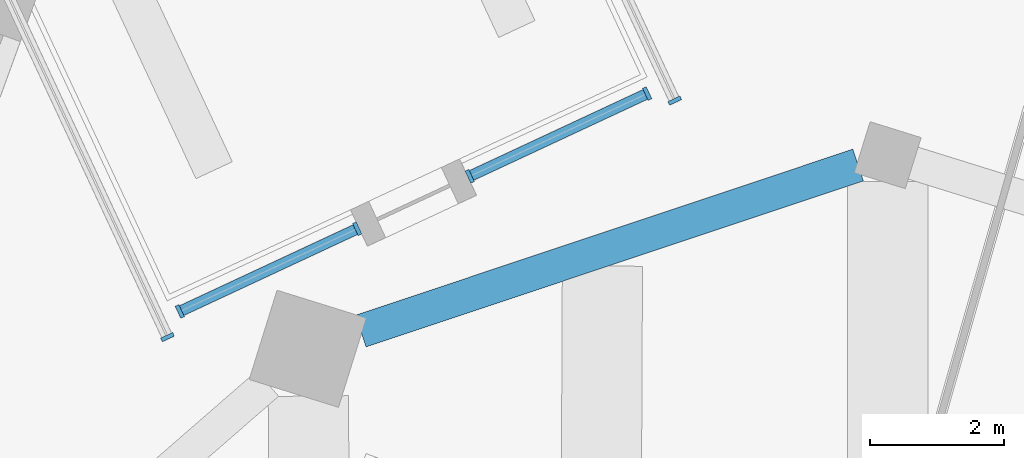
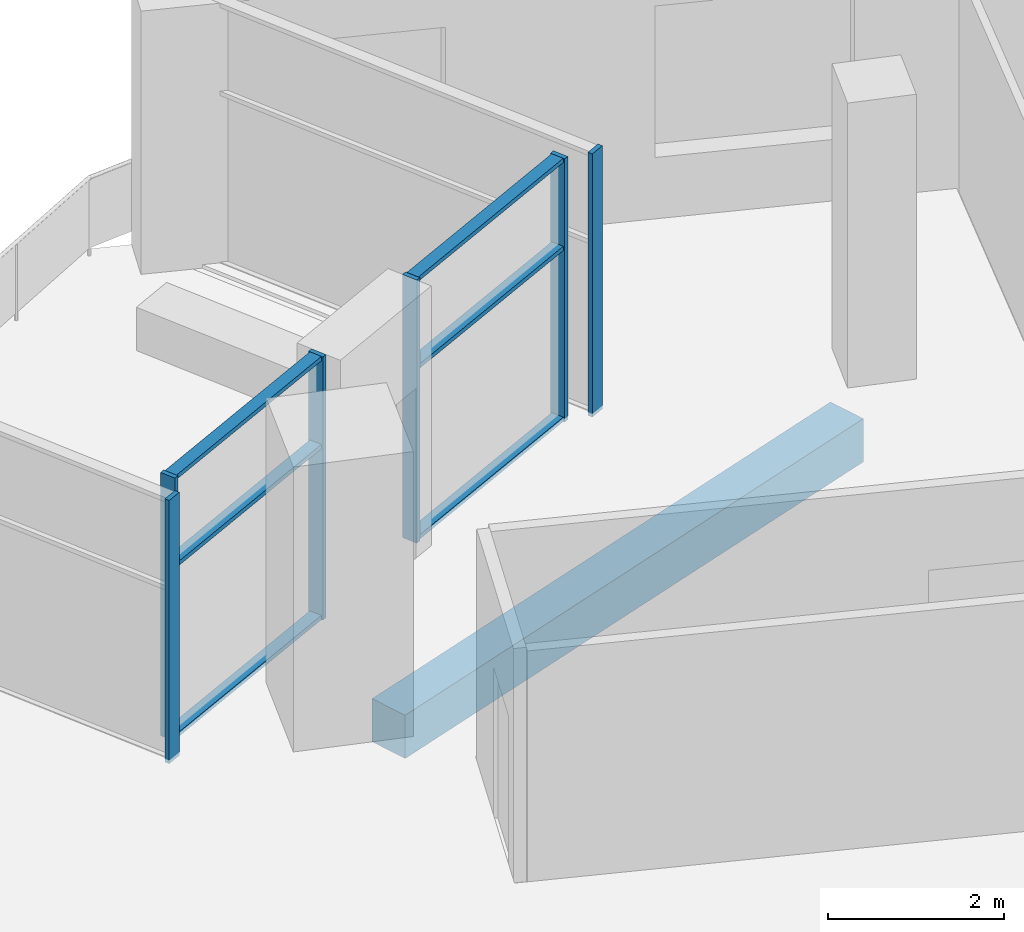
# One storey, part 2 of 13: 12 members, 1 beam, 4 elements without a shape of their own.
"""IFC4 building model written with IfcOpenShell, lengths in metres."""

from ifc_helpers import new_model, si_unit, direction, frame, origin, origin_2d, place, context, subcontext, project, spatial, rectangle, extrude, material, material_profile, profile_set, type_object, element, aggregate, save


model = new_model("IFC4")

# Units and contexts
model_context = context("Model", 3, precision=1e-05, world=origin(), true_north=direction((0.0, 1.0)))
body_context = subcontext(model_context, "Body", "Model", "MODEL_VIEW")
ifc_project = project(units=[si_unit("LENGTHUNIT", "METRE"), si_unit("AREAUNIT", "SQUARE_METRE"), si_unit("VOLUMEUNIT", "CUBIC_METRE"), si_unit("PLANEANGLEUNIT", "RADIAN"), si_unit("MASSUNIT", "GRAM", prefix="KILO")], contexts=[model_context])

# Site, building, storey
site_placement = place(None, origin())
site = spatial("IfcSite", under=ifc_project, at=site_placement, CompositionType="ELEMENT")
building_placement = place(site_placement, origin())
building = spatial("IfcBuilding", under=site, at=building_placement, Name="Dilmun Exchange Tower", CompositionType="ELEMENT")
storey_placement = place(building_placement, frame((0.0, 0.0, 308.5)))
storey = spatial("IfcBuildingStorey", under=building, at=storey_placement, Name="L73", CompositionType="ELEMENT", Elevation=308.5)

# Curtain wall, member
ifc_material_1 = material(Name="Anodised aluminium and clear glass", Category="aluminium")
curtain_wall_type = type_object("IfcCurtainWallType", Name="Garden corner glazing", PredefinedType="NOTDEFINED", material=ifc_material_1)
curtain_wall_1_placement = place(storey_placement, origin())
curtain_wall_1 = element("IfcCurtainWall", 1, at=curtain_wall_1_placement, inside=storey, type_object=curtain_wall_type, Name="Garden corner glazing run GC1.1", PredefinedType="NOTDEFINED")
ifc_material_2 = material(Name="Anodised aluminium", Category="aluminium")
ifc_material_profile_1 = material_profile(ifc_material_2, rectangle(XDim=0.199951171875, YDim=0.06005859375, at=origin_2d()), Name="AL 60x200")
ifc_profile_set_1 = profile_set([ifc_material_profile_1], Name="Anodised aluminium")
member_type_1 = type_object("IfcMemberType", Name="Garden corner glazing mullion 60 x 200", PredefinedType="MULLION", material=ifc_profile_set_1)
member_1_placement = place(storey_placement, frame((-7.043701171875, 30.037109375, 0.0), z_axis=(0.0, 0.0, 1.0), x_axis=(0.906305390357, 0.4226234014, 0.0)))
member_1 = element("IfcMember", 2, at=member_1_placement, type_object=member_type_1, Name="GC1.1 mullion 2", PredefinedType="MULLION", context=body_context, shape_type="SweptSolid", body=[
    extrude(rectangle(XDim=0.199951171875, YDim=0.06005859375, at=origin_2d()), origin(), (0.0, 0.0, 1.0), 3.64990234375),
])
aggregate(curtain_wall_1, [member_1])

# Curtain wall, members
curtain_wall_2_placement = place(storey_placement, origin())
curtain_wall_2 = element("IfcCurtainWall", 3, at=curtain_wall_2_placement, inside=storey, type_object=curtain_wall_type, Name="Garden corner glazing run GC2.1", PredefinedType="NOTDEFINED")
member_2_placement = place(storey_placement, frame((-7.456787109375, 30.142333984375, 0.0), z_axis=(0.0, 0.0, 1.0), x_axis=(0.422610719535, -0.906311303987, 0.0)))
member_2 = element("IfcMember", 4, at=member_2_placement, type_object=member_type_1, Name="GC2.1 mullion 1", PredefinedType="MULLION", context=body_context, shape_type="SweptSolid", body=[
    extrude(rectangle(XDim=0.199951171875, YDim=0.06005859375, at=origin_2d()), origin(), (0.0, 0.0, 1.0), 3.64990234375),
])
member_3_placement = place(storey_placement, frame((-10.111572265625, 28.904296875, 0.0), z_axis=(0.0, 0.0, 1.0), x_axis=(0.422610719535, -0.906311303987, 0.0)))
member_3 = element("IfcMember", 5, at=member_3_placement, type_object=member_type_1, Name="GC2.1 mullion 2", PredefinedType="MULLION", context=body_context, shape_type="SweptSolid", body=[
    extrude(rectangle(XDim=0.199951171875, YDim=0.06005859375, at=origin_2d()), origin(), (0.0, 0.0, 1.0), 3.64990234375),
])

curtain_wall_3_placement = place(storey_placement, origin())
curtain_wall_3 = element("IfcCurtainWall", 6, at=curtain_wall_3_placement, inside=storey, type_object=curtain_wall_type, Name="Garden corner glazing run GC2.3", PredefinedType="NOTDEFINED")
member_4_placement = place(storey_placement, frame((-11.79736328125, 28.1181640625, 0.0), z_axis=(0.0, 0.0, 1.0), x_axis=(0.422610719535, -0.906311303987, 0.0)))
member_4 = element("IfcMember", 7, at=member_4_placement, type_object=member_type_1, Name="GC2.3 mullion 1", PredefinedType="MULLION", context=body_context, shape_type="SweptSolid", body=[
    extrude(rectangle(XDim=0.199951171875, YDim=0.06005859375, at=origin_2d()), origin(), (0.0, 0.0, 1.0), 3.64990234375),
])
member_5_placement = place(storey_placement, frame((-14.451904296875, 26.88037109375, 0.0), z_axis=(0.0, 0.0, 1.0), x_axis=(0.422610719535, -0.906311303987, 0.0)))
member_5 = element("IfcMember", 8, at=member_5_placement, type_object=member_type_1, Name="GC2.3 mullion 2", PredefinedType="MULLION", context=body_context, shape_type="SweptSolid", body=[
    extrude(rectangle(XDim=0.199951171875, YDim=0.06005859375, at=origin_2d()), origin(), (0.0, 0.0, 1.0), 3.64990234375),
])

# Curtain wall, member
curtain_wall_4_placement = place(storey_placement, origin())
curtain_wall_4 = element("IfcCurtainWall", 9, at=curtain_wall_4_placement, inside=storey, type_object=curtain_wall_type, Name="Garden corner glazing run GC3.1", PredefinedType="NOTDEFINED")
member_6_placement = place(storey_placement, frame((-14.636962890625, 26.49609375, 0.0), z_axis=(0.0, 0.0, 1.0), x_axis=(-0.906305390357, -0.4226234014, 0.0)))
member_6 = element("IfcMember", 10, at=member_6_placement, type_object=member_type_1, Name="GC3.1 mullion 1", PredefinedType="MULLION", context=body_context, shape_type="SweptSolid", body=[
    extrude(rectangle(XDim=0.199951171875, YDim=0.06005859375, at=origin_2d()), origin(), (0.0, 0.0, 1.0), 3.64990234375),
])
aggregate(curtain_wall_4, [member_6])

# Member
ifc_material_profile_2 = material_profile(ifc_material_2, rectangle(XDim=0.159912109375, YDim=0.06005859375, at=origin_2d()), Name="AL 60x160")
ifc_profile_set_2 = profile_set([ifc_material_profile_2], Name="Anodised aluminium")
member_type_2 = type_object("IfcMemberType", Name="Garden corner glazing transom 60 x 160", PredefinedType="USERDEFINED", material=ifc_profile_set_2)
member_7_placement = place(storey_placement, frame((-7.484130859375, 30.129638671875, 0.030029296875), z_axis=(-0.906280946012, -0.422675817732, 0.0), x_axis=(0.422675817732, -0.906280946012, 0.0)))
member_7 = element("IfcMember", 11, at=member_7_placement, type_object=member_type_2, Name="GC2.1 transom 1.1", ObjectType="TRANSOM", PredefinedType="USERDEFINED", context=body_context, shape_type="SweptSolid", body=[
    extrude(rectangle(XDim=0.159912109375, YDim=0.06005859375, at=origin_2d()), origin(), (0.0, 0.0, 1.0), 2.868896484375),
])

member_8_placement = place(storey_placement, frame((-7.484130859375, 30.129638671875, 2.39990234375), z_axis=(-0.906280946012, -0.422675817732, 0.0), x_axis=(0.422675817732, -0.906280946012, 0.0)))
member_8 = element("IfcMember", 12, at=member_8_placement, type_object=member_type_2, Name="GC2.1 transom 1.2", ObjectType="TRANSOM", PredefinedType="USERDEFINED", context=body_context, shape_type="SweptSolid", body=[
    extrude(rectangle(XDim=0.159912109375, YDim=0.06005859375, at=origin_2d()), origin(), (0.0, 0.0, 1.0), 2.868896484375),
])

member_9_placement = place(storey_placement, frame((-7.484130859375, 30.129638671875, 3.6201171875), z_axis=(-0.906280946012, -0.422675817732, 0.0), x_axis=(0.422675817732, -0.906280946012, 0.0)))
member_9 = element("IfcMember", 13, at=member_9_placement, type_object=member_type_2, Name="GC2.1 transom 1.3", ObjectType="TRANSOM", PredefinedType="USERDEFINED", context=body_context, shape_type="SweptSolid", body=[
    extrude(rectangle(XDim=0.159912109375, YDim=0.06005859375, at=origin_2d()), origin(), (0.0, 0.0, 1.0), 2.868896484375),
])

aggregate(curtain_wall_2, [member_2, member_3, member_7, member_8, member_9])

member_10_placement = place(storey_placement, frame((-11.824462890625, 28.10546875, 0.030029296875), z_axis=(-0.906328738646, -0.422573327961, 0.0), x_axis=(0.422573327961, -0.906328738646, 0.0)))
member_10 = element("IfcMember", 14, at=member_10_placement, type_object=member_type_2, Name="GC2.3 transom 1.1", ObjectType="TRANSOM", PredefinedType="USERDEFINED", context=body_context, shape_type="SweptSolid", body=[
    extrude(rectangle(XDim=0.159912109375, YDim=0.06005859375, at=origin_2d()), origin(), (0.0, 0.0, 1.0), 2.869140625),
])

member_11_placement = place(storey_placement, frame((-11.824462890625, 28.10546875, 2.39990234375), z_axis=(-0.906328738646, -0.422573327961, 0.0), x_axis=(0.422573327961, -0.906328738646, 0.0)))
member_11 = element("IfcMember", 15, at=member_11_placement, type_object=member_type_2, Name="GC2.3 transom 1.2", ObjectType="TRANSOM", PredefinedType="USERDEFINED", context=body_context, shape_type="SweptSolid", body=[
    extrude(rectangle(XDim=0.159912109375, YDim=0.06005859375, at=origin_2d()), origin(), (0.0, 0.0, 1.0), 2.869140625),
])

member_12_placement = place(storey_placement, frame((-11.824462890625, 28.10546875, 3.6201171875), z_axis=(-0.906328738646, -0.422573327961, 0.0), x_axis=(0.422573327961, -0.906328738646, 0.0)))
member_12 = element("IfcMember", 16, at=member_12_placement, type_object=member_type_2, Name="GC2.3 transom 1.3", ObjectType="TRANSOM", PredefinedType="USERDEFINED", context=body_context, shape_type="SweptSolid", body=[
    extrude(rectangle(XDim=0.159912109375, YDim=0.06005859375, at=origin_2d()), origin(), (0.0, 0.0, 1.0), 2.869140625),
])

aggregate(curtain_wall_3, [member_4, member_5, member_10, member_11, member_12])

# Beam
ifc_material_3 = material(Name="Concrete C40/50", Category="concrete")
ifc_material_profile_3 = material_profile(ifc_material_3, rectangle(XDim=0.5, YDim=0.60009765625, at=origin_2d()), Name="500 x 600")
ifc_profile_set_3 = profile_set([ifc_material_profile_3], Name="Concrete C40/50")
beam_type = type_object("IfcBeamType", Name="RC ring beam 500 x 600 C40/50", PredefinedType="SPANDREL", material=ifc_profile_set_3)
beam_placement = place(storey_placement, frame((-4.298095703125, 29.072509765625, -0.64990234375), z_axis=(-0.94854014246, -0.316656909198, 0.0), x_axis=(0.316656909198, -0.94854014246, 0.0)))
element("IfcBeam", 17, at=beam_placement, inside=storey, type_object=beam_type, Name="Ring beam 16", PredefinedType="SPANDREL", context=body_context, shape_type="SweptSolid", body=[
    extrude(rectangle(XDim=0.5, YDim=0.60009765625, at=origin_2d()), origin(), (0.0, 0.0, 1.0), 7.850341796875),
])

save(model, "model.ifc")
